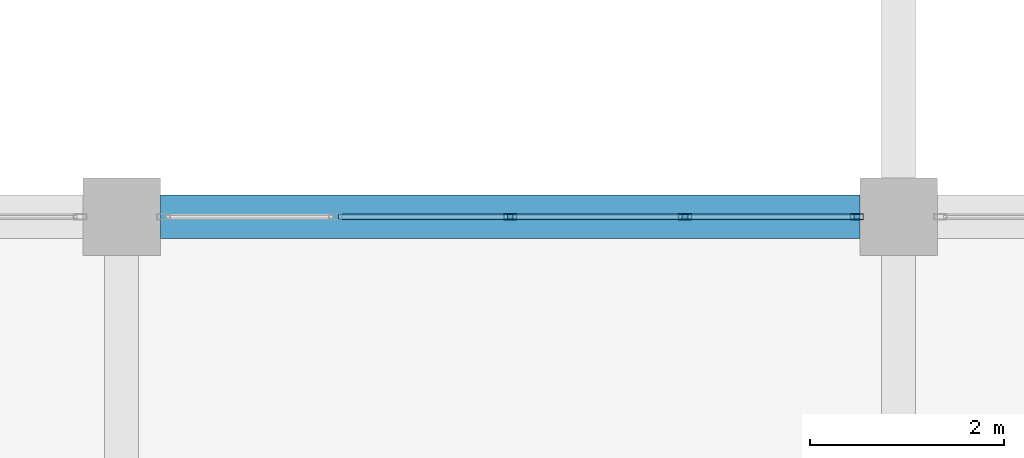
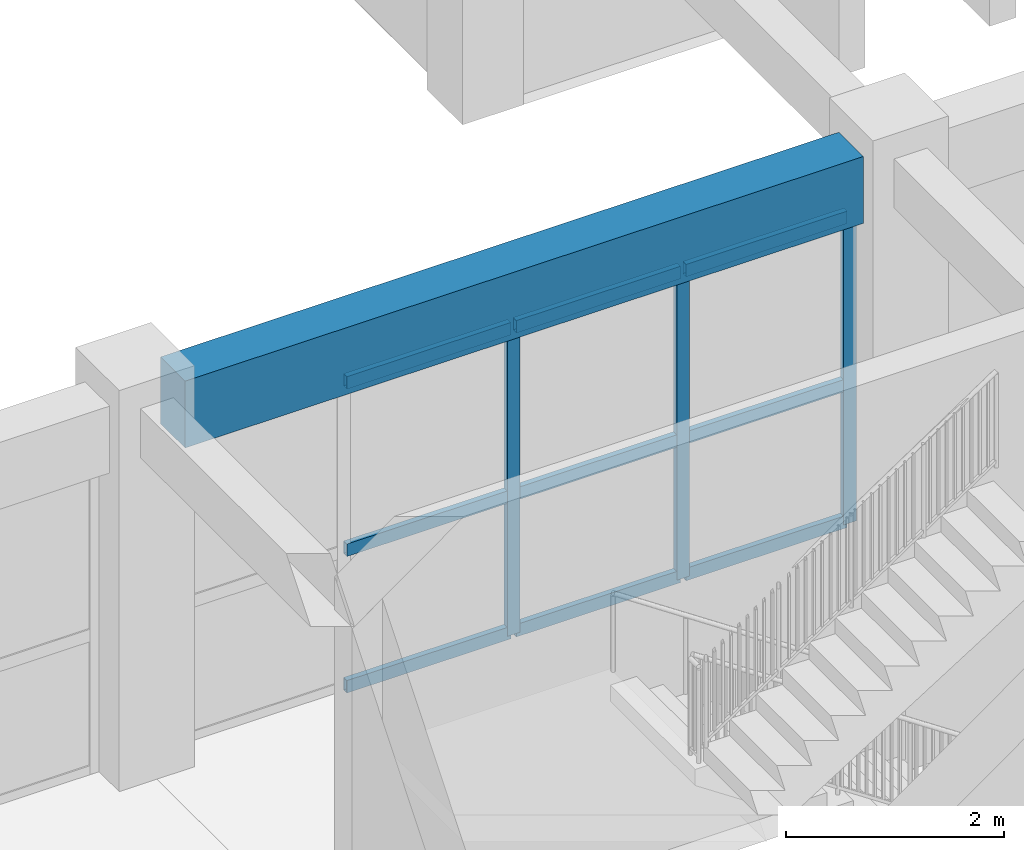
# One storey, part 33 of 79: 12 members, 1 beam, 1 element without a shape of its own.
"""IFC4 building model written with IfcOpenShell, lengths in metres."""

from ifc_helpers import new_model, si_unit, direction, frame, origin, origin_2d, place, context, subcontext, project, spatial, rectangle, hollow_rectangle, extrude, material, material_profile, profile_set, type_object, element, aggregate, save


model = new_model("IFC4")

# Units and contexts
model_context = context("Model", 3, precision=1e-05, world=origin(), true_north=direction((0.0, 1.0)))
body_context = subcontext(model_context, "Body", "Model", "MODEL_VIEW")
ifc_project = project(units=[si_unit("LENGTHUNIT", "METRE"), si_unit("AREAUNIT", "SQUARE_METRE"), si_unit("VOLUMEUNIT", "CUBIC_METRE"), si_unit("PLANEANGLEUNIT", "RADIAN"), si_unit("MASSUNIT", "GRAM", prefix="KILO")], contexts=[model_context])

# Site, building, storey
site_placement = place(None, origin())
site = spatial("IfcSite", under=ifc_project, at=site_placement, CompositionType="ELEMENT")
building_placement = place(site_placement, origin())
building = spatial("IfcBuilding", under=site, at=building_placement, Name="Zantavel Square City Hall", CompositionType="ELEMENT")
storey_placement = place(building_placement, frame((0.0, 0.0, 10.199951171875)))
storey = spatial("IfcBuildingStorey", under=building, at=storey_placement, Name="L03", CompositionType="ELEMENT", Elevation=10.199951171875)

# Curtain wall, members
ifc_material_1 = material(Name="Anodised aluminium 6063-T6", Category="aluminium")
curtain_wall_type = type_object("IfcCurtainWallType", Name="Curtain Wall TRV1 7200x3470", PredefinedType="USERDEFINED", material=ifc_material_1)
curtain_wall_placement = place(storey_placement, origin())
curtain_wall = element("IfcCurtainWall", 1, at=curtain_wall_placement, inside=storey, type_object=curtain_wall_type, Name="L03 Glazed Curtain Wall CW-L03-088", ObjectType="GLAZED CURTAIN WALL", PredefinedType="USERDEFINED")
ifc_material_profile_1 = material_profile(ifc_material_1, hollow_rectangle(XDim=0.06005859375, YDim=0.135009765625, WallThickness=0.00390625, at=origin_2d()), Name="ALU 60x135x4")
ifc_profile_set_1 = profile_set([ifc_material_profile_1], Name="Anodised aluminium 6063-T6")
member_type_1 = type_object("IfcMemberType", Name="CW Mullion ALU 60x135x4", PredefinedType="MULLION", material=ifc_profile_set_1)
member_1_placement = place(storey_placement, frame((100.0, 68.39990234375, 0.0), z_axis=(0.0, 0.0, 1.0), x_axis=(0.0, 1.0, 0.0)))
member_1 = element("IfcMember", 2, at=member_1_placement, type_object=member_type_1, Name="CW-088 mullion 3", PredefinedType="MULLION", context=body_context, shape_type="SweptSolid", body=[
    extrude(hollow_rectangle(XDim=0.06005859375, YDim=0.135009765625, WallThickness=0.00390625, at=origin_2d()), origin(), (0.0, 0.0, 1.0), 3.469970703125),
])
member_2_placement = place(storey_placement, frame((101.800048828125, 68.39990234375, 0.0), z_axis=(0.0, 0.0, 1.0), x_axis=(0.0, 1.0, 0.0)))
member_2 = element("IfcMember", 3, at=member_2_placement, type_object=member_type_1, Name="CW-088 mullion 4", PredefinedType="MULLION", context=body_context, shape_type="SweptSolid", body=[
    extrude(hollow_rectangle(XDim=0.06005859375, YDim=0.135009765625, WallThickness=0.00390625, at=origin_2d()), origin(), (0.0, 0.0, 1.0), 3.469970703125),
])
member_3_placement = place(storey_placement, frame((103.570068359375, 68.39990234375, 0.0), z_axis=(0.0, 0.0, 1.0), x_axis=(0.0, 1.0, 0.0)))
member_3 = element("IfcMember", 4, at=member_3_placement, type_object=member_type_1, Name="CW-088 mullion 5", PredefinedType="MULLION", context=body_context, shape_type="SweptSolid", body=[
    extrude(hollow_rectangle(XDim=0.06005859375, YDim=0.135009765625, WallThickness=0.00390625, at=origin_2d()), origin(), (0.0, 0.0, 1.0), 3.469970703125),
])
ifc_material_profile_2 = material_profile(ifc_material_1, hollow_rectangle(XDim=0.06005859375, YDim=0.139892578125, WallThickness=0.00390625, at=origin_2d()), Name="ALU 60x140x4")
ifc_profile_set_2 = profile_set([ifc_material_profile_2], Name="Anodised aluminium 6063-T6")
member_type_2 = type_object("IfcMemberType", Name="CW Transom ALU 60x140x4", PredefinedType="USERDEFINED", material=ifc_profile_set_2)
member_4_placement = place(storey_placement, frame((98.22998046875, 68.39990234375, 0.030029296875), z_axis=(1.0, 0.0, 0.0), x_axis=(0.0, 1.0, 0.0)))
member_4 = element("IfcMember", 5, at=member_4_placement, type_object=member_type_2, Name="CW-088 transom 2.1", ObjectType="TRANSOM", PredefinedType="USERDEFINED", context=body_context, shape_type="SweptSolid", body=[
    extrude(hollow_rectangle(XDim=0.06005859375, YDim=0.139892578125, WallThickness=0.00390625, at=origin_2d()), origin(), (0.0, 0.0, 1.0), 1.739990234375),
])
member_5_placement = place(storey_placement, frame((98.22998046875, 68.39990234375, 1.56201171875), z_axis=(1.0, 0.0, 0.0), x_axis=(0.0, 1.0, 0.0)))
member_5 = element("IfcMember", 6, at=member_5_placement, type_object=member_type_2, Name="CW-088 transom 2.2", ObjectType="TRANSOM", PredefinedType="USERDEFINED", context=body_context, shape_type="SweptSolid", body=[
    extrude(hollow_rectangle(XDim=0.06005859375, YDim=0.139892578125, WallThickness=0.00390625, at=origin_2d()), origin(), (0.0, 0.0, 1.0), 1.739990234375),
])
member_6_placement = place(storey_placement, frame((98.22998046875, 68.39990234375, 3.43994140625), z_axis=(1.0, 0.0, 0.0), x_axis=(0.0, 1.0, 0.0)))
member_6 = element("IfcMember", 7, at=member_6_placement, type_object=member_type_2, Name="CW-088 transom 2.3", ObjectType="TRANSOM", PredefinedType="USERDEFINED", context=body_context, shape_type="SweptSolid", body=[
    extrude(hollow_rectangle(XDim=0.06005859375, YDim=0.139892578125, WallThickness=0.00390625, at=origin_2d()), origin(), (0.0, 0.0, 1.0), 1.739990234375),
])
member_7_placement = place(storey_placement, frame((100.030029296875, 68.39990234375, 0.030029296875), z_axis=(1.0, 0.0, 0.0), x_axis=(0.0, 1.0, 0.0)))
member_7 = element("IfcMember", 8, at=member_7_placement, type_object=member_type_2, Name="CW-088 transom 3.1", ObjectType="TRANSOM", PredefinedType="USERDEFINED", context=body_context, shape_type="SweptSolid", body=[
    extrude(hollow_rectangle(XDim=0.06005859375, YDim=0.139892578125, WallThickness=0.00390625, at=origin_2d()), origin(), (0.0, 0.0, 1.0), 1.739990234375),
])
member_8_placement = place(storey_placement, frame((100.030029296875, 68.39990234375, 1.56201171875), z_axis=(1.0, 0.0, 0.0), x_axis=(0.0, 1.0, 0.0)))
member_8 = element("IfcMember", 9, at=member_8_placement, type_object=member_type_2, Name="CW-088 transom 3.2", ObjectType="TRANSOM", PredefinedType="USERDEFINED", context=body_context, shape_type="SweptSolid", body=[
    extrude(hollow_rectangle(XDim=0.06005859375, YDim=0.139892578125, WallThickness=0.00390625, at=origin_2d()), origin(), (0.0, 0.0, 1.0), 1.739990234375),
])
member_9_placement = place(storey_placement, frame((100.030029296875, 68.39990234375, 3.43994140625), z_axis=(1.0, 0.0, 0.0), x_axis=(0.0, 1.0, 0.0)))
member_9 = element("IfcMember", 10, at=member_9_placement, type_object=member_type_2, Name="CW-088 transom 3.3", ObjectType="TRANSOM", PredefinedType="USERDEFINED", context=body_context, shape_type="SweptSolid", body=[
    extrude(hollow_rectangle(XDim=0.06005859375, YDim=0.139892578125, WallThickness=0.00390625, at=origin_2d()), origin(), (0.0, 0.0, 1.0), 1.739990234375),
])
member_10_placement = place(storey_placement, frame((101.830078125, 68.39990234375, 0.030029296875), z_axis=(1.0, 0.0, 0.0), x_axis=(0.0, 1.0, 0.0)))
member_10 = element("IfcMember", 11, at=member_10_placement, type_object=member_type_2, Name="CW-088 transom 4.1", ObjectType="TRANSOM", PredefinedType="USERDEFINED", context=body_context, shape_type="SweptSolid", body=[
    extrude(hollow_rectangle(XDim=0.06005859375, YDim=0.139892578125, WallThickness=0.00390625, at=origin_2d()), origin(), (0.0, 0.0, 1.0), 1.7099609375),
])
member_11_placement = place(storey_placement, frame((101.830078125, 68.39990234375, 1.56201171875), z_axis=(1.0, 0.0, 0.0), x_axis=(0.0, 1.0, 0.0)))
member_11 = element("IfcMember", 12, at=member_11_placement, type_object=member_type_2, Name="CW-088 transom 4.2", ObjectType="TRANSOM", PredefinedType="USERDEFINED", context=body_context, shape_type="SweptSolid", body=[
    extrude(hollow_rectangle(XDim=0.06005859375, YDim=0.139892578125, WallThickness=0.00390625, at=origin_2d()), origin(), (0.0, 0.0, 1.0), 1.7099609375),
])
member_12_placement = place(storey_placement, frame((101.830078125, 68.39990234375, 3.43994140625), z_axis=(1.0, 0.0, 0.0), x_axis=(0.0, 1.0, 0.0)))
member_12 = element("IfcMember", 13, at=member_12_placement, type_object=member_type_2, Name="CW-088 transom 4.3", ObjectType="TRANSOM", PredefinedType="USERDEFINED", context=body_context, shape_type="SweptSolid", body=[
    extrude(hollow_rectangle(XDim=0.06005859375, YDim=0.139892578125, WallThickness=0.00390625, at=origin_2d()), origin(), (0.0, 0.0, 1.0), 1.7099609375),
])
aggregate(curtain_wall, [member_1, member_2, member_3, member_4, member_5, member_6, member_7, member_8, member_9, member_10, member_11, member_12])

# Beam
ifc_material_2 = material(Name="Concrete C35/45", Category="concrete")
ifc_material_profile_3 = material_profile(ifc_material_2, rectangle(XDim=0.449951171875, YDim=0.75, at=origin_2d()), Name="RC 450x750")
ifc_profile_set_3 = profile_set([ifc_material_profile_3], Name="Concrete C35/45")
beam_type = type_object("IfcBeamType", Name="Primary Girder RC 450x750 C35/45", PredefinedType="BEAM", material=ifc_profile_set_3)
beam_placement = place(storey_placement, frame((96.39990234375, 68.39990234375, 3.844970703125), z_axis=(1.0, 0.0, 0.0), x_axis=(0.0, 1.0, 0.0)))
element("IfcBeam", 14, at=beam_placement, inside=storey, type_object=beam_type, Name="L03 Girder BMX-L03-0960-0684", PredefinedType="BEAM", context=body_context, shape_type="SweptSolid", body=[
    extrude(rectangle(XDim=0.449951171875, YDim=0.75, at=origin_2d()), origin(), (0.0, 0.0, 1.0), 7.2001953125),
])

save(model, "model.ifc")
